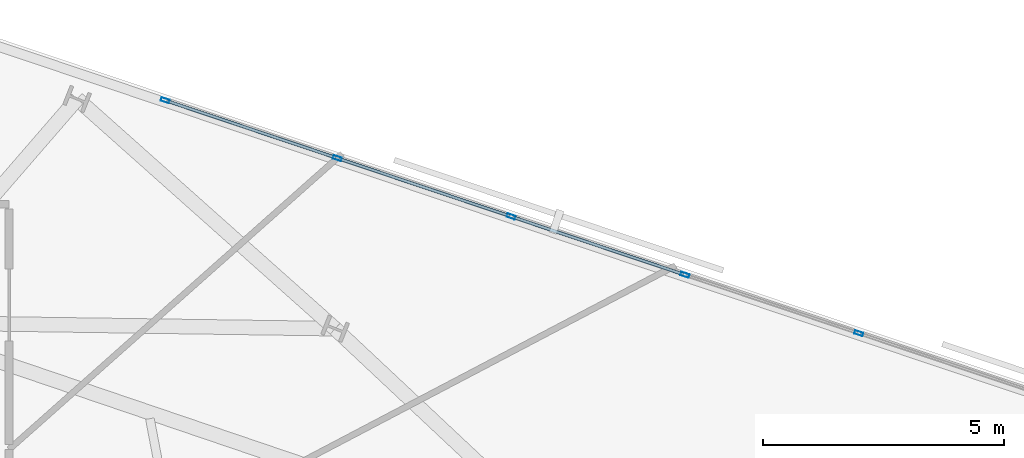
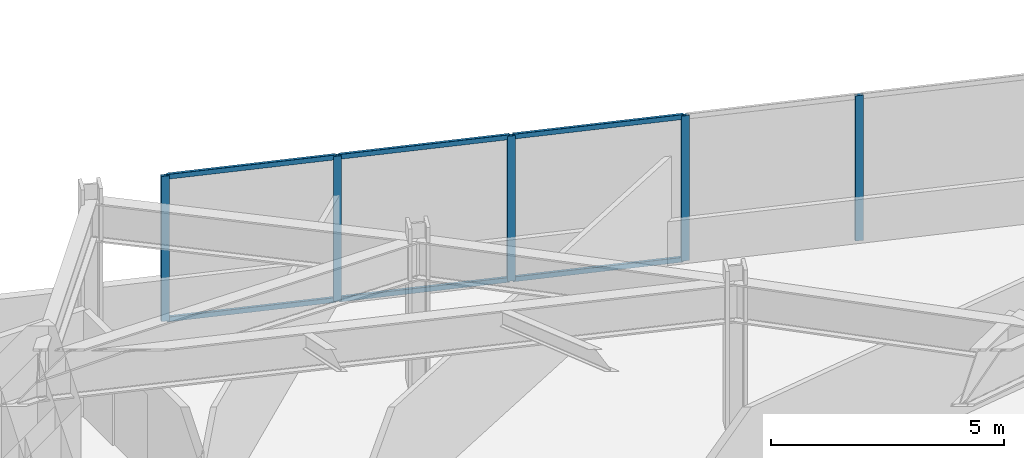
# One storey, part 4 of 14: 11 members, 1 element without a shape of its own.
"""IFC4 building model written with IfcOpenShell, lengths in metres."""

import ifcopenshell
import ifcopenshell.guid

model = None  # the IFC model being written
_history = None  # IfcOwnerHistory: only IFC2X3 demands one
_inside = {}  # id of a spatial element -> (the spatial element, [elements in it])
_under = {}  # id of a project, library or spatial element -> (it, [spatial elements below it])
_declared = {}  # id of a project -> (the project, [libraries it declares])
_typed = {}  # id of a type object -> (the type object, [elements of that type])
_made_of = {}  # id of a material, layer set ... -> (it, [elements and type objects made of it])


def new_model(schema):
    """Start an empty IFC model of exactly this schema.

    Asked for "IFC4X3", IfcOpenShell would pick the latest addendum, in which some entities
    have other attributes; the version numbers below select the first issue.
    IFC2X3 requires an IfcOwnerHistory on every rooted entity: one is made here for all.
    """
    global model, _history
    if schema == "IFC4X3":
        model = ifcopenshell.file(schema_version=(4, 3, 0, 0))
    else:
        model = ifcopenshell.file(schema=schema)
    _inside.clear()
    _under.clear()
    _declared.clear()
    _typed.clear()
    _made_of.clear()
    _history = None
    if model.schema == "IFC2X3":
        org = make("IfcOrganization", Name="unknown")
        user = make(
            "IfcPersonAndOrganization",
            ThePerson=make("IfcPerson", FamilyName="unknown"),
            TheOrganization=org,
        )
        app = make(
            "IfcApplication",
            ApplicationDeveloper=org,
            Version="unknown",
            ApplicationFullName="unknown",
            ApplicationIdentifier="unknown",
        )
        _history = make(
            "IfcOwnerHistory",
            OwningUser=user,
            OwningApplication=app,
            ChangeAction="ADDED",
            CreationDate=0,
        )
    return model


def make(cls, **values):
    """One entity of the class cls with the attributes given. An attribute that is None is left unset."""
    return model.create_entity(
        cls, **{name: value for name, value in values.items() if value is not None}
    )


def rooted(cls, **values):
    """An entity with a GlobalId (a new one), such as an element, a storey or a relation."""
    return make(cls, GlobalId=ifcopenshell.guid.new(), OwnerHistory=_history, **values)


def si_unit(unit_type, name, prefix=None):
    """IfcSIUnit, for example si_unit("LENGTHUNIT", "METRE", prefix="MILLI")."""
    return make("IfcSIUnit", UnitType=unit_type, Prefix=prefix, Name=name)


def assignment(units):
    """IfcUnitAssignment: the units of a project."""
    return None if units is None else make("IfcUnitAssignment", Units=units)


def point(xyz):
    """IfcCartesianPoint."""
    return None if xyz is None else make("IfcCartesianPoint", Coordinates=xyz)


def direction(xyz):
    """IfcDirection."""
    return None if xyz is None else make("IfcDirection", DirectionRatios=xyz)


def frame(location, z_axis=None, x_axis=None):
    """IfcAxis2Placement3D, a coordinate frame: its origin and axes. An axis left out is left unset."""
    return make(
        "IfcAxis2Placement3D",
        Location=point(location),
        Axis=direction(z_axis),
        RefDirection=direction(x_axis),
    )


def frame_2d(location, x_axis=None):
    """IfcAxis2Placement2D, a coordinate frame in the plane: its origin and x axis."""
    return make(
        "IfcAxis2Placement2D", Location=point(location), RefDirection=direction(x_axis)
    )


def origin():
    """The frame at (0, 0, 0) with its axes left unset."""
    return frame((0.0, 0.0, 0.0))


def origin_2d():
    """The frame at (0, 0) in the plane with its x axis left unset."""
    return frame_2d((0.0, 0.0))


def place(relative_to, where):
    """IfcLocalPlacement: puts the frame where relative to a parent placement (None: the world)."""
    return make(
        "IfcLocalPlacement", PlacementRelTo=relative_to, RelativePlacement=where
    )


def context(
    kind, dimensions, precision=None, world=None, true_north=None, identifier=None
):
    """IfcGeometricRepresentationContext, for example the 3D "Model" context."""
    return make(
        "IfcGeometricRepresentationContext",
        ContextIdentifier=identifier,
        ContextType=kind,
        CoordinateSpaceDimension=dimensions,
        Precision=precision,
        WorldCoordinateSystem=world,
        TrueNorth=true_north,
    )


def subcontext(parent, identifier, kind, view, scale=None):
    """IfcGeometricRepresentationSubContext, for example "Body" below "Model"."""
    return make(
        "IfcGeometricRepresentationSubContext",
        ContextIdentifier=identifier,
        ContextType=kind,
        ParentContext=parent,
        TargetScale=scale,
        TargetView=view,
    )


def project(units=None, contexts=None):
    """IfcProject with its units and contexts."""
    return rooted(
        "IfcProject",
        Name="project",
        RepresentationContexts=contexts,
        UnitsInContext=assignment(units),
    )


def spatial(cls, under=None, at=None, **own):
    """A site, building, storey or space (cls), placed at a placement, below another one or the project."""
    s = rooted(cls, ObjectPlacement=at, **own)
    if under is not None:
        _under.setdefault(under.id(), (under, []))[1].append(s)
    return s


def profile(cls, at=None, kind="AREA", **sizes):
    """A parametric profile (cls). Its sizes go by their IFC names, for example OverallWidth=200.0."""
    return make(cls, ProfileType=kind, Position=at, **sizes)


def hollow_rectangle(**sizes):
    """IfcRectangleHollowProfileDef."""
    return profile("IfcRectangleHollowProfileDef", **sizes)


def extrude(swept, where, along, depth):
    """IfcExtrudedAreaSolid: the profile swept, set in the frame where, extruded along a direction by depth."""
    return make(
        "IfcExtrudedAreaSolid",
        SweptArea=swept,
        Position=where,
        ExtrudedDirection=direction(along),
        Depth=depth,
    )


def shape(context_of_items, identifier, shape_type, items):
    """IfcShapeRepresentation: the items that make up one representation, for example the "Body"."""
    return make(
        "IfcShapeRepresentation",
        ContextOfItems=context_of_items,
        RepresentationIdentifier=identifier,
        RepresentationType=shape_type,
        Items=items,
    )


def material(Name=None, Category=None):
    """IfcMaterial."""
    return make("IfcMaterial", Name=Name, Category=Category)


def material_profile(
    of_material, cross_section, Name=None, Category=None, Priority=None
):
    """IfcMaterialProfile: a cross section and its material."""
    return make(
        "IfcMaterialProfile",
        Name=Name,
        Material=of_material,
        Profile=cross_section,
        Priority=Priority,
        Category=Category,
    )


def profile_set(profiles, Name=None, composite=None):
    """IfcMaterialProfileSet."""
    return make(
        "IfcMaterialProfileSet",
        Name=Name,
        MaterialProfiles=profiles,
        CompositeProfile=composite,
    )


def made_of(thing, what):
    """Note that an element or type object is made of a material, layer set ...; save() writes the relation."""
    if what is not None:
        _made_of.setdefault(what.id(), (what, []))[1].append(thing)
    return thing


def type_object(cls, material=None, **own):
    """A type object (cls), such as IfcWallType, which elements share."""
    return made_of(rooted(cls, **own), material)


def element(
    cls,
    number,
    at=None,
    inside=None,
    cuts=None,
    type_object=None,
    material=None,
    context=None,
    identifier="Body",
    shape_type=None,
    held_by="IfcProductDefinitionShape",
    body=None,
    shapes=None,
    **own,
):
    """One element of the class cls, such as IfcWall. Its Tag is "e" and its number.

    at: its placement. inside: the storey or other place that contains it. cuts: it is an
    opening in that element (IfcRelVoidsElement). A single representation is given by context,
    identifier, shape_type and body (its items); several are given by shapes. held_by: the class
    of the entity that holds the representations. save() writes the other relations.
    """
    e = rooted(cls, Tag="e%d" % number, ObjectPlacement=at, **own)
    if body is not None:
        shapes = [shape(context, identifier, shape_type, body)]
    if shapes is not None:
        e.Representation = make(held_by, Representations=shapes)
    if inside is not None:
        _inside.setdefault(inside.id(), (inside, []))[1].append(e)
    if cuts is not None:
        rooted(
            "IfcRelVoidsElement", RelatingBuildingElement=cuts, RelatedOpeningElement=e
        )
    if type_object is not None:
        _typed.setdefault(type_object.id(), (type_object, []))[1].append(e)
    return made_of(e, material)


def aggregate(whole, parts):
    """IfcRelAggregates: a whole, such as a stair, and the parts it consists of."""
    return rooted("IfcRelAggregates", RelatingObject=whole, RelatedObjects=parts)


def save(model, path):
    """Write the relations noted so far, then the file.

    IfcRelAggregates (storeys below a building ...), IfcRelContainedInSpatialStructure (elements
    in a storey), IfcRelDefinesByType, IfcRelAssociatesMaterial and IfcRelDeclares: one each for
    every whole, place, type object, material and project.
    """
    for whole, parts in _under.values():
        aggregate(whole, parts)
    for where, things in _inside.values():
        rooted(
            "IfcRelContainedInSpatialStructure",
            RelatedElements=things,
            RelatingStructure=where,
        )
    for kind, things in _typed.values():
        rooted("IfcRelDefinesByType", RelatedObjects=things, RelatingType=kind)
    for what, things in _made_of.values():
        rooted("IfcRelAssociatesMaterial", RelatedObjects=things, RelatingMaterial=what)
    for by, libraries in _declared.values():
        rooted("IfcRelDeclares", RelatingContext=by, RelatedDefinitions=libraries)
    model.write(path)


model = new_model("IFC4")

# Units and contexts
model_context = context("Model", 3, precision=1e-05, world=origin(), true_north=direction((0.0, 1.0)))
body_context = subcontext(model_context, "Body", "Model", "MODEL_VIEW")
ifc_project = project(units=[si_unit("LENGTHUNIT", "METRE"), si_unit("AREAUNIT", "SQUARE_METRE"), si_unit("VOLUMEUNIT", "CUBIC_METRE"), si_unit("PLANEANGLEUNIT", "RADIAN"), si_unit("MASSUNIT", "GRAM", prefix="KILO")], contexts=[model_context])

# Site, building, storey
site_placement = place(None, origin())
site = spatial("IfcSite", under=ifc_project, at=site_placement, CompositionType="ELEMENT")
building_placement = place(site_placement, origin())
building = spatial("IfcBuilding", under=site, at=building_placement, Name="Narakoshi Arena Tower", CompositionType="ELEMENT")
storey_placement = place(building_placement, frame((0.0, 0.0, 196.699951171875)))
storey = spatial("IfcBuildingStorey", under=building, at=storey_placement, Name="L53", CompositionType="ELEMENT", Elevation=196.699951171875)

# Curtain wall, members
ifc_material = material(Name="Anodised bronze aluminium 6063-T6", Category="aluminium")
curtain_wall_type = type_object("IfcCurtainWallType", Name="CW-HYP-MID", PredefinedType="NOTDEFINED", material=ifc_material)
curtain_wall_placement = place(storey_placement, origin())
curtain_wall = element("IfcCurtainWall", 1, at=curtain_wall_placement, inside=storey, type_object=curtain_wall_type, Name="L53 Folded Hypotenuse Curtain Wall 1-1", PredefinedType="NOTDEFINED")
ifc_material_profile_1 = material_profile(ifc_material, hollow_rectangle(XDim=0.074951171875, YDim=0.179931640625, WallThickness=0.00390625, OuterFilletRadius=0.0048828125, at=origin_2d()), Name="MUL180x75x4")
ifc_profile_set_1 = profile_set([ifc_material_profile_1], Name="Anodised bronze aluminium 6063-T6")
member_type_1 = type_object("IfcMemberType", Name="MEM-MUL-180", PredefinedType="MULLION", material=ifc_profile_set_1)
member_1_placement = place(storey_placement, frame((105.783447265625, 56.272705078125, 0.0), z_axis=(0.0, 0.0, 1.0), x_axis=(-0.318260960253, -0.948003144077, 0.0)))
member_1 = element("IfcMember", 2, at=member_1_placement, type_object=member_type_1, Name="CW-02 mullion 4", PredefinedType="MULLION", context=body_context, shape_type="SweptSolid", body=[
    extrude(hollow_rectangle(XDim=0.074951171875, YDim=0.179931640625, WallThickness=0.00390625, OuterFilletRadius=0.0048828125, at=origin_2d()), origin(), (0.0, 0.0, 1.0), 3.800048828125),
])
member_2_placement = place(storey_placement, frame((102.176025390625, 57.48388671875, 0.0), z_axis=(0.0, 0.0, 1.0), x_axis=(-0.318260960253, -0.948003144077, 0.0)))
member_2 = element("IfcMember", 3, at=member_2_placement, type_object=member_type_1, Name="CW-02 mullion 5", PredefinedType="MULLION", context=body_context, shape_type="SweptSolid", body=[
    extrude(hollow_rectangle(XDim=0.074951171875, YDim=0.179931640625, WallThickness=0.00390625, OuterFilletRadius=0.0048828125, at=origin_2d()), origin(), (0.0, 0.0, 1.0), 3.800048828125),
])
member_3_placement = place(storey_placement, frame((98.568359375, 58.695068359375, 0.0), z_axis=(0.0, 0.0, 1.0), x_axis=(-0.318260960253, -0.948003144077, 0.0)))
member_3 = element("IfcMember", 4, at=member_3_placement, type_object=member_type_1, Name="CW-02 mullion 6", PredefinedType="MULLION", context=body_context, shape_type="SweptSolid", body=[
    extrude(hollow_rectangle(XDim=0.074951171875, YDim=0.179931640625, WallThickness=0.00390625, OuterFilletRadius=0.0048828125, at=origin_2d()), origin(), (0.0, 0.0, 1.0), 3.800048828125),
])
member_4_placement = place(storey_placement, frame((94.960693359375, 59.90625, 0.0), z_axis=(0.0, 0.0, 1.0), x_axis=(-0.318260960253, -0.948003144077, 0.0)))
member_4 = element("IfcMember", 5, at=member_4_placement, type_object=member_type_1, Name="CW-02 mullion 7", PredefinedType="MULLION", context=body_context, shape_type="SweptSolid", body=[
    extrude(hollow_rectangle(XDim=0.074951171875, YDim=0.179931640625, WallThickness=0.00390625, OuterFilletRadius=0.0048828125, at=origin_2d()), origin(), (0.0, 0.0, 1.0), 3.800048828125),
])
member_5_placement = place(storey_placement, frame((91.388671875, 61.10546875, 0.0), z_axis=(0.0, 0.0, 1.0), x_axis=(-0.318260960253, -0.948003144077, 0.0)))
member_5 = element("IfcMember", 6, at=member_5_placement, type_object=member_type_1, Name="CW-02 mullion 8", PredefinedType="MULLION", context=body_context, shape_type="SweptSolid", body=[
    extrude(hollow_rectangle(XDim=0.074951171875, YDim=0.179931640625, WallThickness=0.00390625, OuterFilletRadius=0.0048828125, at=origin_2d()), origin(), (0.0, 0.0, 1.0), 3.800048828125),
])
ifc_material_profile_2 = material_profile(ifc_material, hollow_rectangle(XDim=0.06494140625, YDim=0.1298828125, WallThickness=0.00390625, OuterFilletRadius=0.0048828125, at=origin_2d()), Name="TRN130x65x4")
ifc_profile_set_2 = profile_set([ifc_material_profile_2], Name="Anodised bronze aluminium 6063-T6")
member_type_2 = type_object("IfcMemberType", Name="MEM-TRN-130", PredefinedType="USERDEFINED", material=ifc_profile_set_2)
member_6_placement = place(storey_placement, frame((102.140380859375, 57.495849609375, 0.032470703125), z_axis=(-0.948000451231, 0.318268981314, 0.0), x_axis=(-0.318268981314, -0.948000451231, 0.0)))
member_6 = element("IfcMember", 7, at=member_6_placement, type_object=member_type_2, Name="CW-02 transom 5.1", ObjectType="TRANSOM", PredefinedType="USERDEFINED", context=body_context, shape_type="SweptSolid", body=[
    extrude(hollow_rectangle(XDim=0.06494140625, YDim=0.1298828125, WallThickness=0.00390625, OuterFilletRadius=0.0048828125, at=origin_2d()), origin(), (0.0, 0.0, 1.0), 3.73046875),
])
member_7_placement = place(storey_placement, frame((102.140380859375, 57.495849609375, 3.767578125), z_axis=(-0.948000451231, 0.318268981314, 0.0), x_axis=(-0.318268981314, -0.948000451231, 0.0)))
member_7 = element("IfcMember", 8, at=member_7_placement, type_object=member_type_2, Name="CW-02 transom 5.2", ObjectType="TRANSOM", PredefinedType="USERDEFINED", context=body_context, shape_type="SweptSolid", body=[
    extrude(hollow_rectangle(XDim=0.06494140625, YDim=0.1298828125, WallThickness=0.00390625, OuterFilletRadius=0.0048828125, at=origin_2d()), origin(), (0.0, 0.0, 1.0), 3.73046875),
])
member_8_placement = place(storey_placement, frame((98.53271484375, 58.70703125, 0.032470703125), z_axis=(-0.948000451231, 0.318268981314, 0.0), x_axis=(-0.318268981314, -0.948000451231, 0.0)))
member_8 = element("IfcMember", 9, at=member_8_placement, type_object=member_type_2, Name="CW-02 transom 6.1", ObjectType="TRANSOM", PredefinedType="USERDEFINED", context=body_context, shape_type="SweptSolid", body=[
    extrude(hollow_rectangle(XDim=0.06494140625, YDim=0.1298828125, WallThickness=0.00390625, OuterFilletRadius=0.0048828125, at=origin_2d()), origin(), (0.0, 0.0, 1.0), 3.73046875),
])
member_9_placement = place(storey_placement, frame((98.53271484375, 58.70703125, 3.767578125), z_axis=(-0.948000451231, 0.318268981314, 0.0), x_axis=(-0.318268981314, -0.948000451231, 0.0)))
member_9 = element("IfcMember", 10, at=member_9_placement, type_object=member_type_2, Name="CW-02 transom 6.2", ObjectType="TRANSOM", PredefinedType="USERDEFINED", context=body_context, shape_type="SweptSolid", body=[
    extrude(hollow_rectangle(XDim=0.06494140625, YDim=0.1298828125, WallThickness=0.00390625, OuterFilletRadius=0.0048828125, at=origin_2d()), origin(), (0.0, 0.0, 1.0), 3.73046875),
])
member_10_placement = place(storey_placement, frame((94.92529296875, 59.918212890625, 0.032470703125), z_axis=(-0.948006826737, 0.31824999051, 0.0), x_axis=(-0.31824999051, -0.948006826737, 0.0)))
member_10 = element("IfcMember", 11, at=member_10_placement, type_object=member_type_2, Name="CW-02 transom 7.1", ObjectType="TRANSOM", PredefinedType="USERDEFINED", context=body_context, shape_type="SweptSolid", body=[
    extrude(hollow_rectangle(XDim=0.06494140625, YDim=0.1298828125, WallThickness=0.00390625, OuterFilletRadius=0.0048828125, at=origin_2d()), origin(), (0.0, 0.0, 1.0), 3.69287109375),
])
member_11_placement = place(storey_placement, frame((94.92529296875, 59.918212890625, 3.767578125), z_axis=(-0.948006826737, 0.31824999051, 0.0), x_axis=(-0.31824999051, -0.948006826737, 0.0)))
member_11 = element("IfcMember", 12, at=member_11_placement, type_object=member_type_2, Name="CW-02 transom 7.2", ObjectType="TRANSOM", PredefinedType="USERDEFINED", context=body_context, shape_type="SweptSolid", body=[
    extrude(hollow_rectangle(XDim=0.06494140625, YDim=0.1298828125, WallThickness=0.00390625, OuterFilletRadius=0.0048828125, at=origin_2d()), origin(), (0.0, 0.0, 1.0), 3.69287109375),
])
aggregate(curtain_wall, [member_1, member_2, member_3, member_4, member_5, member_6, member_7, member_8, member_9, member_10, member_11])

save(model, "model.ifc")
